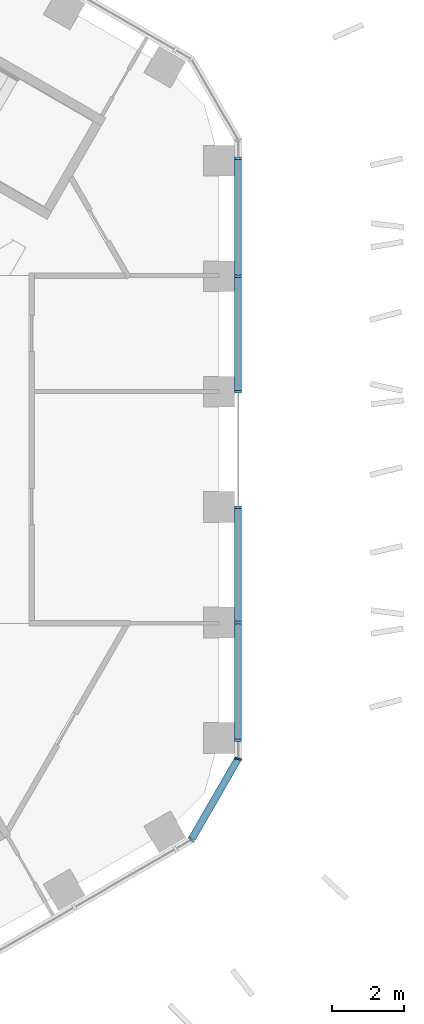
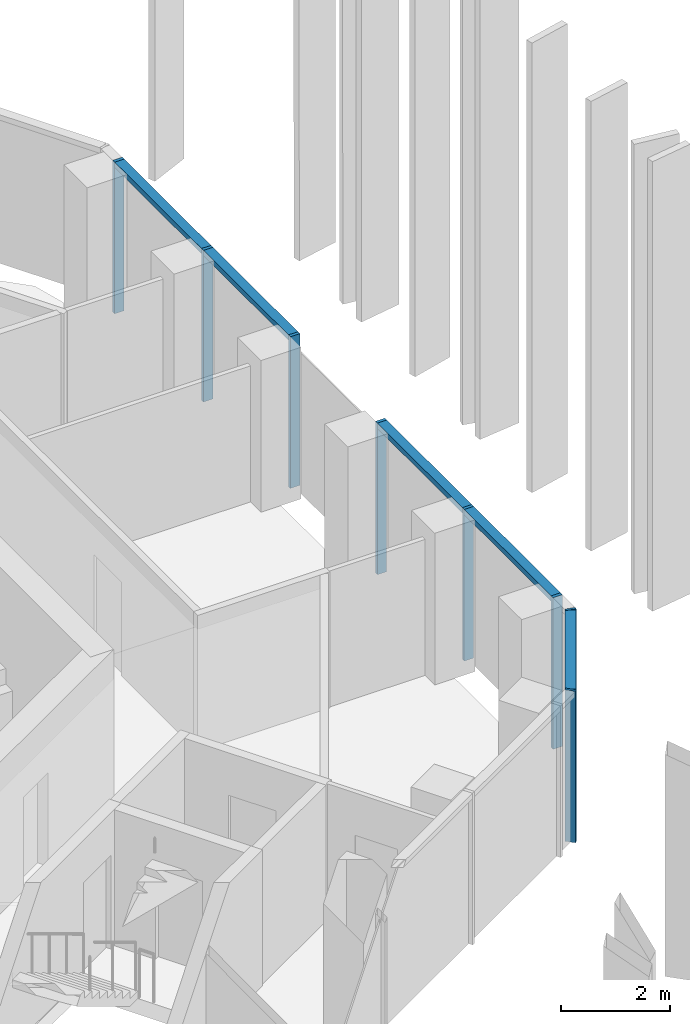
# One storey, part 4 of 18: 11 members, 2 elements without a shape of their own.
"""IFC4 building model written with IfcOpenShell, lengths in metres."""

from ifc_helpers import new_model, si_unit, direction, frame, origin, origin_2d, place, context, subcontext, project, spatial, rectangle, extrude, material, layer, layer_set, material_profile, profile_set, type_object, element, aggregate, save


model = new_model("IFC4")

# Units and contexts
model_context = context("Model", 3, precision=1e-05, world=origin(), true_north=direction((0.0, 1.0)))
body_context = subcontext(model_context, "Body", "Model", "MODEL_VIEW")
ifc_project = project(units=[si_unit("LENGTHUNIT", "METRE"), si_unit("AREAUNIT", "SQUARE_METRE"), si_unit("VOLUMEUNIT", "CUBIC_METRE"), si_unit("PLANEANGLEUNIT", "RADIAN"), si_unit("MASSUNIT", "GRAM", prefix="KILO")], contexts=[model_context])

# Site, building, storey
site_placement = place(None, origin())
site = spatial("IfcSite", under=ifc_project, at=site_placement, CompositionType="ELEMENT")
building_placement = place(site_placement, origin())
building = spatial("IfcBuilding", under=site, at=building_placement, Name="Ayvan Gate Tower", CompositionType="ELEMENT")
storey_placement = place(building_placement, frame((0.0, 0.0, 218.89990234375)))
storey = spatial("IfcBuildingStorey", under=building, at=storey_placement, Name="L58", CompositionType="ELEMENT", Elevation=218.89990234375)

# Curtain wall, members
ifc_material = material(Name="Bronze anodised aluminium", Category="aluminium")
ifc_layer_1 = layer(ifc_material, 0.199951171875)
ifc_layer_set_1 = layer_set([ifc_layer_1], Name="Bronze anodised aluminium")
curtain_wall_type_1 = type_object("IfcCurtainWallType", Name="Stick curtain wall CW-2", PredefinedType="NOTDEFINED", material=ifc_layer_set_1)
curtain_wall_1_placement = place(storey_placement, origin())
curtain_wall_1 = element("IfcCurtainWall", 1, at=curtain_wall_1_placement, inside=storey, type_object=curtain_wall_type_1, Name="Stick curtain wall CW-2 L58", PredefinedType="NOTDEFINED")
ifc_material_profile_1 = material_profile(ifc_material, rectangle(XDim=0.199951171875, YDim=0.070068359375, at=origin_2d()), Name="Stick curtain wall CW-2 mullion 200 x 70")
ifc_profile_set_1 = profile_set([ifc_material_profile_1], Name="Bronze anodised aluminium")
member_type_1 = type_object("IfcMemberType", Name="Stick curtain wall CW-2 mullion 200 x 70", PredefinedType="MULLION", material=ifc_profile_set_1)
member_1_placement = place(storey_placement, frame((17.41259765625, -8.052001953125, 0.0), z_axis=(0.0, 0.0, 1.0), x_axis=(1.0, 0.0, 0.0)))
member_1 = element("IfcMember", 2, at=member_1_placement, type_object=member_type_1, Name="CW-2 mullion 1", PredefinedType="MULLION", context=body_context, shape_type="SweptSolid", body=[
    extrude(rectangle(XDim=0.199951171875, YDim=0.070068359375, at=origin_2d()), origin(), (0.0, 0.0, 1.0), 3.400146484375),
])
member_2_placement = place(storey_placement, frame((17.41259765625, -4.7900390625, 0.0), z_axis=(0.0, 0.0, 1.0), x_axis=(1.0, 0.0, 0.0)))
member_2 = element("IfcMember", 3, at=member_2_placement, type_object=member_type_1, Name="CW-2 mullion 2", PredefinedType="MULLION", context=body_context, shape_type="SweptSolid", body=[
    extrude(rectangle(XDim=0.199951171875, YDim=0.070068359375, at=origin_2d()), origin(), (0.0, 0.0, 1.0), 3.400146484375),
])
member_3_placement = place(storey_placement, frame((17.41259765625, -1.59716796875, 0.0), z_axis=(0.0, 0.0, 1.0), x_axis=(1.0, 0.0, 0.0)))
member_3 = element("IfcMember", 4, at=member_3_placement, type_object=member_type_1, Name="CW-2 mullion 3", PredefinedType="MULLION", context=body_context, shape_type="SweptSolid", body=[
    extrude(rectangle(XDim=0.199951171875, YDim=0.070068359375, at=origin_2d()), origin(), (0.0, 0.0, 1.0), 3.400146484375),
])
member_4_placement = place(storey_placement, frame((17.41259765625, 1.596923828125, 0.0), z_axis=(0.0, 0.0, 1.0), x_axis=(1.0, 0.0, 0.0)))
member_4 = element("IfcMember", 5, at=member_4_placement, type_object=member_type_1, Name="CW-2 mullion 4", PredefinedType="MULLION", context=body_context, shape_type="SweptSolid", body=[
    extrude(rectangle(XDim=0.199951171875, YDim=0.070068359375, at=origin_2d()), origin(), (0.0, 0.0, 1.0), 3.400146484375),
])
member_5_placement = place(storey_placement, frame((17.41259765625, 4.7900390625, 0.0), z_axis=(0.0, 0.0, 1.0), x_axis=(1.0, 0.0, 0.0)))
member_5 = element("IfcMember", 6, at=member_5_placement, type_object=member_type_1, Name="CW-2 mullion 5", PredefinedType="MULLION", context=body_context, shape_type="SweptSolid", body=[
    extrude(rectangle(XDim=0.199951171875, YDim=0.070068359375, at=origin_2d()), origin(), (0.0, 0.0, 1.0), 3.400146484375),
])
member_6_placement = place(storey_placement, frame((17.41259765625, 8.052001953125, 0.0), z_axis=(0.0, 0.0, 1.0), x_axis=(1.0, 0.0, 0.0)))
member_6 = element("IfcMember", 7, at=member_6_placement, type_object=member_type_1, Name="CW-2 mullion 6", PredefinedType="MULLION", context=body_context, shape_type="SweptSolid", body=[
    extrude(rectangle(XDim=0.199951171875, YDim=0.070068359375, at=origin_2d()), origin(), (0.0, 0.0, 1.0), 3.400146484375),
])
ifc_material_profile_2 = material_profile(ifc_material, rectangle(XDim=0.199951171875, YDim=0.1201171875, at=origin_2d()), Name="Stick curtain wall CW-2 transom 200 x 120")
ifc_profile_set_2 = profile_set([ifc_material_profile_2], Name="Bronze anodised aluminium")
member_type_2 = type_object("IfcMemberType", Name="Stick curtain wall CW-2 transom 200 x 120", PredefinedType="USERDEFINED", material=ifc_profile_set_2)
member_7_placement = place(storey_placement, frame((17.41259765625, -8.052001953125, 3.340087890625), z_axis=(0.0, 1.0, 0.0), x_axis=(-1.0, 0.0, 0.0)))
member_7 = element("IfcMember", 8, at=member_7_placement, type_object=member_type_2, Name="CW-2 transom 1", ObjectType="TRANSOM", PredefinedType="USERDEFINED", context=body_context, shape_type="SweptSolid", body=[
    extrude(rectangle(XDim=0.199951171875, YDim=0.1201171875, at=origin_2d()), origin(), (0.0, 0.0, 1.0), 6.419921875),
])
member_8_placement = place(storey_placement, frame((17.41259765625, 1.6318359375, 3.340087890625), z_axis=(0.0, 1.0, 0.0), x_axis=(-1.0, 0.0, 0.0)))
member_8 = element("IfcMember", 9, at=member_8_placement, type_object=member_type_2, Name="CW-2 transom 2", ObjectType="TRANSOM", PredefinedType="USERDEFINED", context=body_context, shape_type="SweptSolid", body=[
    extrude(rectangle(XDim=0.199951171875, YDim=0.1201171875, at=origin_2d()), origin(), (0.0, 0.0, 1.0), 6.420166015625),
])
aggregate(curtain_wall_1, [member_1, member_2, member_3, member_4, member_5, member_6, member_7, member_8])

ifc_layer_2 = layer(ifc_material, 0.199951171875)
ifc_layer_set_2 = layer_set([ifc_layer_2], Name="Bronze anodised aluminium")
curtain_wall_type_2 = type_object("IfcCurtainWallType", Name="Stick curtain wall CW-6", PredefinedType="NOTDEFINED", material=ifc_layer_set_2)
curtain_wall_2_placement = place(storey_placement, origin())
curtain_wall_2 = element("IfcCurtainWall", 10, at=curtain_wall_2_placement, inside=storey, type_object=curtain_wall_type_2, Name="Stick curtain wall CW-6 L58", PredefinedType="NOTDEFINED")
ifc_material_profile_3 = material_profile(ifc_material, rectangle(XDim=0.199951171875, YDim=0.050048828125, at=origin_2d()), Name="Stick curtain wall CW-6 mullion 200 x 50")
ifc_profile_set_3 = profile_set([ifc_material_profile_3], Name="Bronze anodised aluminium")
member_type_3 = type_object("IfcMemberType", Name="Stick curtain wall CW-6 mullion 200 x 50", PredefinedType="MULLION", material=ifc_profile_set_3)
member_9_placement = place(storey_placement, frame((16.12109375, -10.798583984375, 0.0), z_axis=(0.0, 0.0, 1.0), x_axis=(0.707106781187, -0.707106781187, 0.0)))
member_9 = element("IfcMember", 11, at=member_9_placement, type_object=member_type_3, Name="CW-6 mullion 2", PredefinedType="MULLION", context=body_context, shape_type="SweptSolid", body=[
    extrude(rectangle(XDim=0.199951171875, YDim=0.050048828125, at=origin_2d()), origin(), (0.0, 0.0, 1.0), 3.400146484375),
])
member_10_placement = place(storey_placement, frame((17.41259765625, -8.56201171875, 0.0), z_axis=(0.0, 0.0, 1.0), x_axis=(0.965925826289, -0.258819045103, 0.0)))
member_10 = element("IfcMember", 12, at=member_10_placement, type_object=member_type_3, Name="CW-6 mullion 3", PredefinedType="MULLION", context=body_context, shape_type="SweptSolid", body=[
    extrude(rectangle(XDim=0.199951171875, YDim=0.050048828125, at=origin_2d()), origin(), (0.0, 0.0, 1.0), 3.400146484375),
])
ifc_material_profile_4 = material_profile(ifc_material, rectangle(XDim=0.199951171875, YDim=0.1201171875, at=origin_2d()), Name="Stick curtain wall CW-6 transom 200 x 120")
ifc_profile_set_4 = profile_set([ifc_material_profile_4], Name="Bronze anodised aluminium")
member_type_4 = type_object("IfcMemberType", Name="Stick curtain wall CW-6 transom 200 x 120", PredefinedType="USERDEFINED", material=ifc_profile_set_4)
member_11_placement = place(storey_placement, frame((16.1337890625, -10.777099609375, 3.340087890625), z_axis=(0.499933856714, 0.866063588261, 0.0), x_axis=(-0.866063588261, 0.499933856714, 0.0)))
member_11 = element("IfcMember", 13, at=member_11_placement, type_object=member_type_4, Name="CW-6 transom 2", ObjectType="TRANSOM", PredefinedType="USERDEFINED", context=body_context, shape_type="SweptSolid", body=[
    extrude(rectangle(XDim=0.199951171875, YDim=0.1201171875, at=origin_2d()), origin(), (0.0, 0.0, 1.0), 2.532470703125),
])
aggregate(curtain_wall_2, [member_9, member_10, member_11])

save(model, "model.ifc")
